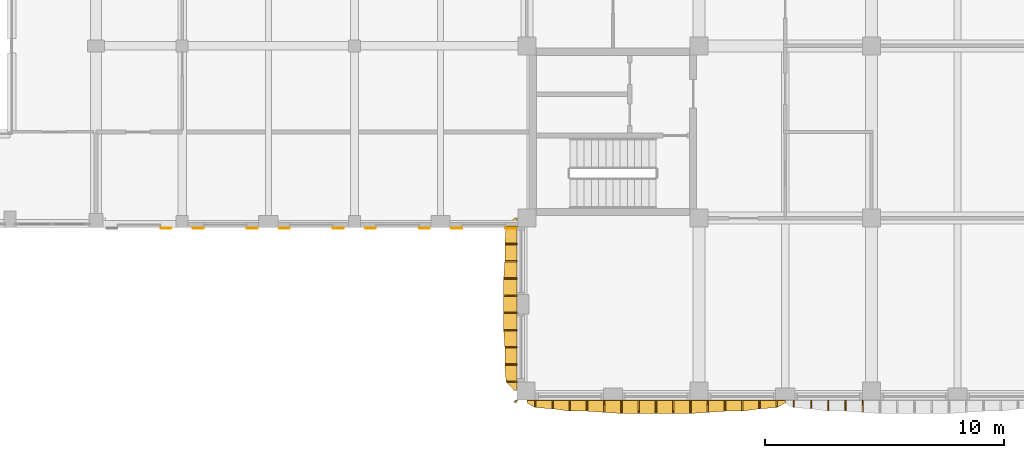
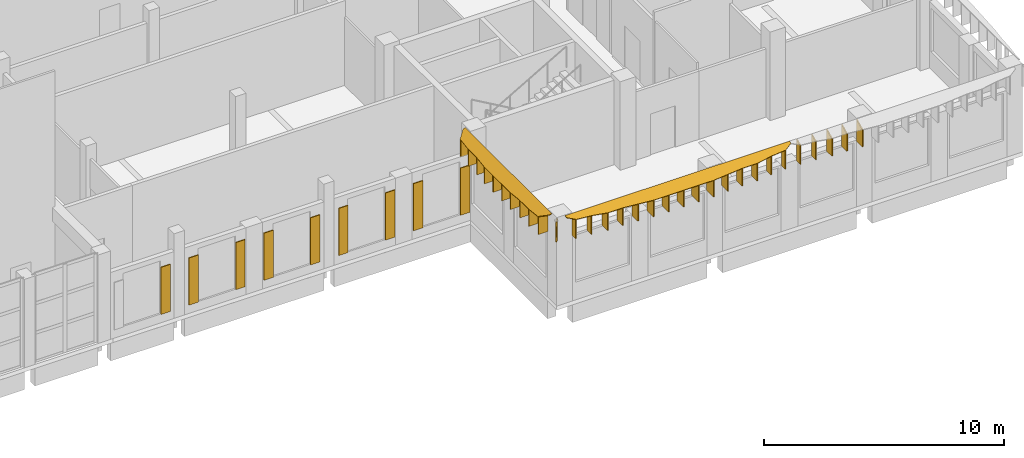
# One storey, part 32 of 54: 42 shading devices.
"""IFC4 building model written with IfcOpenShell, lengths in metres."""

import ifcopenshell
import ifcopenshell.guid

model = None  # the IFC model being written
_history = None  # IfcOwnerHistory: only IFC2X3 demands one
_inside = {}  # id of a spatial element -> (the spatial element, [elements in it])
_under = {}  # id of a project, library or spatial element -> (it, [spatial elements below it])
_declared = {}  # id of a project -> (the project, [libraries it declares])
_typed = {}  # id of a type object -> (the type object, [elements of that type])
_made_of = {}  # id of a material, layer set ... -> (it, [elements and type objects made of it])


def new_model(schema):
    """Start an empty IFC model of exactly this schema.

    Asked for "IFC4X3", IfcOpenShell would pick the latest addendum, in which some entities
    have other attributes; the version numbers below select the first issue.
    IFC2X3 requires an IfcOwnerHistory on every rooted entity: one is made here for all.
    """
    global model, _history
    if schema == "IFC4X3":
        model = ifcopenshell.file(schema_version=(4, 3, 0, 0))
    else:
        model = ifcopenshell.file(schema=schema)
    _inside.clear()
    _under.clear()
    _declared.clear()
    _typed.clear()
    _made_of.clear()
    _history = None
    if model.schema == "IFC2X3":
        org = make("IfcOrganization", Name="unknown")
        user = make(
            "IfcPersonAndOrganization",
            ThePerson=make("IfcPerson", FamilyName="unknown"),
            TheOrganization=org,
        )
        app = make(
            "IfcApplication",
            ApplicationDeveloper=org,
            Version="unknown",
            ApplicationFullName="unknown",
            ApplicationIdentifier="unknown",
        )
        _history = make(
            "IfcOwnerHistory",
            OwningUser=user,
            OwningApplication=app,
            ChangeAction="ADDED",
            CreationDate=0,
        )
    return model


def make(cls, **values):
    """One entity of the class cls with the attributes given. An attribute that is None is left unset."""
    return model.create_entity(
        cls, **{name: value for name, value in values.items() if value is not None}
    )


def rooted(cls, **values):
    """An entity with a GlobalId (a new one), such as an element, a storey or a relation."""
    return make(cls, GlobalId=ifcopenshell.guid.new(), OwnerHistory=_history, **values)


def si_unit(unit_type, name, prefix=None):
    """IfcSIUnit, for example si_unit("LENGTHUNIT", "METRE", prefix="MILLI")."""
    return make("IfcSIUnit", UnitType=unit_type, Prefix=prefix, Name=name)


def assignment(units):
    """IfcUnitAssignment: the units of a project."""
    return None if units is None else make("IfcUnitAssignment", Units=units)


def point(xyz):
    """IfcCartesianPoint."""
    return None if xyz is None else make("IfcCartesianPoint", Coordinates=xyz)


def direction(xyz):
    """IfcDirection."""
    return None if xyz is None else make("IfcDirection", DirectionRatios=xyz)


def frame(location, z_axis=None, x_axis=None):
    """IfcAxis2Placement3D, a coordinate frame: its origin and axes. An axis left out is left unset."""
    return make(
        "IfcAxis2Placement3D",
        Location=point(location),
        Axis=direction(z_axis),
        RefDirection=direction(x_axis),
    )


def frame_2d(location, x_axis=None):
    """IfcAxis2Placement2D, a coordinate frame in the plane: its origin and x axis."""
    return make(
        "IfcAxis2Placement2D", Location=point(location), RefDirection=direction(x_axis)
    )


def origin():
    """The frame at (0, 0, 0) with its axes left unset."""
    return frame((0.0, 0.0, 0.0))


def origin_2d():
    """The frame at (0, 0) in the plane with its x axis left unset."""
    return frame_2d((0.0, 0.0))


def place(relative_to, where):
    """IfcLocalPlacement: puts the frame where relative to a parent placement (None: the world)."""
    return make(
        "IfcLocalPlacement", PlacementRelTo=relative_to, RelativePlacement=where
    )


def context(
    kind, dimensions, precision=None, world=None, true_north=None, identifier=None
):
    """IfcGeometricRepresentationContext, for example the 3D "Model" context."""
    return make(
        "IfcGeometricRepresentationContext",
        ContextIdentifier=identifier,
        ContextType=kind,
        CoordinateSpaceDimension=dimensions,
        Precision=precision,
        WorldCoordinateSystem=world,
        TrueNorth=true_north,
    )


def subcontext(parent, identifier, kind, view, scale=None):
    """IfcGeometricRepresentationSubContext, for example "Body" below "Model"."""
    return make(
        "IfcGeometricRepresentationSubContext",
        ContextIdentifier=identifier,
        ContextType=kind,
        ParentContext=parent,
        TargetScale=scale,
        TargetView=view,
    )


def project(units=None, contexts=None):
    """IfcProject with its units and contexts."""
    return rooted(
        "IfcProject",
        Name="project",
        RepresentationContexts=contexts,
        UnitsInContext=assignment(units),
    )


def spatial(cls, under=None, at=None, **own):
    """A site, building, storey or space (cls), placed at a placement, below another one or the project."""
    s = rooted(cls, ObjectPlacement=at, **own)
    if under is not None:
        _under.setdefault(under.id(), (under, []))[1].append(s)
    return s


def polyline(points):
    """IfcPolyline through the points."""
    return make("IfcPolyline", Points=[point(p) for p in points])


def profile(cls, at=None, kind="AREA", **sizes):
    """A parametric profile (cls). Its sizes go by their IFC names, for example OverallWidth=200.0."""
    return make(cls, ProfileType=kind, Position=at, **sizes)


def rectangle(**sizes):
    """IfcRectangleProfileDef."""
    return profile("IfcRectangleProfileDef", **sizes)


def outline(outer, holes=None, kind="AREA"):
    """IfcArbitraryClosedProfileDef: a profile drawn as a closed curve; with holes, ...WithVoids."""
    if holes is None:
        return make("IfcArbitraryClosedProfileDef", ProfileType=kind, OuterCurve=outer)
    return make(
        "IfcArbitraryProfileDefWithVoids",
        ProfileType=kind,
        OuterCurve=outer,
        InnerCurves=holes,
    )


def extrude(swept, where, along, depth):
    """IfcExtrudedAreaSolid: the profile swept, set in the frame where, extruded along a direction by depth."""
    return make(
        "IfcExtrudedAreaSolid",
        SweptArea=swept,
        Position=where,
        ExtrudedDirection=direction(along),
        Depth=depth,
    )


def shape(context_of_items, identifier, shape_type, items):
    """IfcShapeRepresentation: the items that make up one representation, for example the "Body"."""
    return make(
        "IfcShapeRepresentation",
        ContextOfItems=context_of_items,
        RepresentationIdentifier=identifier,
        RepresentationType=shape_type,
        Items=items,
    )


def material(Name=None, Category=None):
    """IfcMaterial."""
    return make("IfcMaterial", Name=Name, Category=Category)


def layer(
    of_material, thickness, ventilated=None, Name=None, Category=None, Priority=None
):
    """IfcMaterialLayer: one layer of a wall or slab, of a material (None: an air gap)."""
    return make(
        "IfcMaterialLayer",
        Material=of_material,
        LayerThickness=thickness,
        IsVentilated=ventilated,
        Name=Name,
        Category=Category,
        Priority=Priority,
    )


def layer_set(layers, Name=None):
    """IfcMaterialLayerSet."""
    return make("IfcMaterialLayerSet", MaterialLayers=layers, LayerSetName=Name)


def made_of(thing, what):
    """Note that an element or type object is made of a material, layer set ...; save() writes the relation."""
    if what is not None:
        _made_of.setdefault(what.id(), (what, []))[1].append(thing)
    return thing


def type_object(cls, material=None, **own):
    """A type object (cls), such as IfcWallType, which elements share."""
    return made_of(rooted(cls, **own), material)


def element(
    cls,
    number,
    at=None,
    inside=None,
    cuts=None,
    type_object=None,
    material=None,
    context=None,
    identifier="Body",
    shape_type=None,
    held_by="IfcProductDefinitionShape",
    body=None,
    shapes=None,
    **own,
):
    """One element of the class cls, such as IfcWall. Its Tag is "e" and its number.

    at: its placement. inside: the storey or other place that contains it. cuts: it is an
    opening in that element (IfcRelVoidsElement). A single representation is given by context,
    identifier, shape_type and body (its items); several are given by shapes. held_by: the class
    of the entity that holds the representations. save() writes the other relations.
    """
    e = rooted(cls, Tag="e%d" % number, ObjectPlacement=at, **own)
    if body is not None:
        shapes = [shape(context, identifier, shape_type, body)]
    if shapes is not None:
        e.Representation = make(held_by, Representations=shapes)
    if inside is not None:
        _inside.setdefault(inside.id(), (inside, []))[1].append(e)
    if cuts is not None:
        rooted(
            "IfcRelVoidsElement", RelatingBuildingElement=cuts, RelatedOpeningElement=e
        )
    if type_object is not None:
        _typed.setdefault(type_object.id(), (type_object, []))[1].append(e)
    return made_of(e, material)


def aggregate(whole, parts):
    """IfcRelAggregates: a whole, such as a stair, and the parts it consists of."""
    return rooted("IfcRelAggregates", RelatingObject=whole, RelatedObjects=parts)


def save(model, path):
    """Write the relations noted so far, then the file.

    IfcRelAggregates (storeys below a building ...), IfcRelContainedInSpatialStructure (elements
    in a storey), IfcRelDefinesByType, IfcRelAssociatesMaterial and IfcRelDeclares: one each for
    every whole, place, type object, material and project.
    """
    for whole, parts in _under.values():
        aggregate(whole, parts)
    for where, things in _inside.values():
        rooted(
            "IfcRelContainedInSpatialStructure",
            RelatedElements=things,
            RelatingStructure=where,
        )
    for kind, things in _typed.values():
        rooted("IfcRelDefinesByType", RelatedObjects=things, RelatingType=kind)
    for what, things in _made_of.values():
        rooted("IfcRelAssociatesMaterial", RelatedObjects=things, RelatingMaterial=what)
    for by, libraries in _declared.values():
        rooted("IfcRelDeclares", RelatingContext=by, RelatedDefinitions=libraries)
    model.write(path)


model = new_model("IFC4")

# Units and contexts
model_context = context("Model", 3, precision=1e-05, world=origin(), true_north=direction((0.0, 1.0)))
body_context = subcontext(model_context, "Body", "Model", "MODEL_VIEW")
ifc_project = project(units=[si_unit("LENGTHUNIT", "METRE"), si_unit("AREAUNIT", "SQUARE_METRE"), si_unit("VOLUMEUNIT", "CUBIC_METRE"), si_unit("PLANEANGLEUNIT", "RADIAN"), si_unit("MASSUNIT", "GRAM", prefix="KILO")], contexts=[model_context])

# Site, building, storey
site_placement = place(None, origin())
site = spatial("IfcSite", under=ifc_project, at=site_placement, CompositionType="ELEMENT")
building_placement = place(site_placement, origin())
building = spatial("IfcBuilding", under=site, at=building_placement, Name="Ussher Court Research Institute", CompositionType="ELEMENT")
storey_placement = place(building_placement, frame((0.0, 0.0, 14.39990234375)))
storey = spatial("IfcBuildingStorey", under=building, at=storey_placement, Name="L03", CompositionType="ELEMENT", Elevation=14.39990234375)

# Shading devices
ifc_material_1 = material(Name="Bronze anodised aluminium", Category="aluminium")
ifc_layer_1 = layer(ifc_material_1, 0.050048828125)
ifc_layer_set_1 = layer_set([ifc_layer_1], Name="Bronze anodised aluminium")
shading_device_type_1 = type_object("IfcShadingDeviceType", Name="Brim blade 300 mm deep 1100 mm high canted 26 deg wet", PredefinedType="USERDEFINED", material=ifc_layer_set_1)
for number, where, z_axis, x_axis, name in (
    (1, (93.360107421875, 3.60009765625, 3.35009765625), (0.0, 0.0, 1.0), (0.0, -1.0, 0.0), "Brim blade BS06 L03"),
    (2, (92.639892578125, 3.60009765625, 3.35009765625), (0.0, 0.0, 1.0), (0.0, -1.0, 0.0), "Brim blade BS06 L03"),
    (3, (82.56005859375, 3.60009765625, 3.35009765625), (0.0, 0.0, 1.0), (0.0, -1.0, 0.0), "Brim blade BS06 L03"),
):
    element("IfcShadingDevice", number, at=place(storey_placement, frame(where, z_axis=z_axis, x_axis=x_axis)), inside=storey, type_object=shading_device_type_1, Name=name, ObjectType="BLADE", PredefinedType="USERDEFINED", context=body_context, shape_type="SweptSolid", body=[
        extrude(outline(polyline([(0.0, 0.0), (0.300048828125, 0.0), (0.300048828125, 0.95361328125), (0.0, 1.10009765625), (0.0, 0.0)])), frame((0.0, 0.02490234375, 0.0), z_axis=(0.0, -1.0, 0.0), x_axis=(1.0, 0.0, 0.0)), (0.0, 0.0, 1.0), 0.050048828125),
    ])
ifc_material_2 = material(Name="Bronze anodised aluminium", Category="aluminium")
ifc_layer_2 = layer(ifc_material_2, 0.050048828125)
ifc_layer_set_2 = layer_set([ifc_layer_2], Name="Bronze anodised aluminium")
shading_device_type_2 = type_object("IfcShadingDeviceType", Name="Brim blade 350 mm deep 1100 mm high canted 26 deg wet", PredefinedType="USERDEFINED", material=ifc_layer_set_2)
for number, where, z_axis, x_axis, name in (
    (4, (94.080078125, 3.60009765625, 3.35009765625), (0.0, 0.0, 1.0), (0.0, -1.0, 0.0), "Brim blade BS05 L03"),
    (5, (91.919921875, 3.60009765625, 3.35009765625), (0.0, 0.0, 1.0), (0.0, -1.0, 0.0), "Brim blade BS05 L03"),
    (6, (83.280029296875, 3.60009765625, 3.35009765625), (0.0, 0.0, 1.0), (0.0, -1.0, 0.0), "Brim blade BS05 L03"),
):
    element("IfcShadingDevice", number, at=place(storey_placement, frame(where, z_axis=z_axis, x_axis=x_axis)), inside=storey, type_object=shading_device_type_2, Name=name, ObjectType="BLADE", PredefinedType="USERDEFINED", context=body_context, shape_type="SweptSolid", body=[
        extrude(outline(polyline([(0.0, 0.0), (0.35009765625, 0.0), (0.35009765625, 0.92919921875), (0.0, 1.10009765625), (0.0, 0.0)])), frame((0.0, 0.02490234375, 0.0), z_axis=(0.0, -1.0, 0.0), x_axis=(1.0, 0.0, 0.0)), (0.0, 0.0, 1.0), 0.050048828125),
    ])
ifc_material_3 = material(Name="Bronze anodised aluminium", Category="aluminium")
ifc_layer_3 = layer(ifc_material_3, 0.050048828125)
ifc_layer_set_3 = layer_set([ifc_layer_3], Name="Bronze anodised aluminium")
shading_device_type_3 = type_object("IfcShadingDeviceType", Name="Brim blade 450 mm deep 1100 mm high canted 26 deg wet", PredefinedType="USERDEFINED", material=ifc_layer_set_3)
for number, where, z_axis, x_axis, name in (
    (7, (95.52001953125, 3.60009765625, 3.35009765625), (0.0, 0.0, 1.0), (0.0, -1.0, 0.0), "Brim blade BS03 L03"),
    (8, (94.800048828125, 3.60009765625, 3.35009765625), (0.0, 0.0, 1.0), (0.0, -1.0, 0.0), "Brim blade BS03 L03"),
    (9, (91.199951171875, 3.60009765625, 3.35009765625), (0.0, 0.0, 1.0), (0.0, -1.0, 0.0), "Brim blade BS03 L03"),
    (10, (90.47998046875, 3.60009765625, 3.35009765625), (0.0, 0.0, 1.0), (0.0, -1.0, 0.0), "Brim blade BS03 L03"),
    (11, (84.719970703125, 3.60009765625, 3.35009765625), (0.0, 0.0, 1.0), (0.0, -1.0, 0.0), "Brim blade BS03 L03"),
    (12, (84.0, 3.60009765625, 3.35009765625), (0.0, 0.0, 1.0), (0.0, -1.0, 0.0), "Brim blade BS03 L03"),
):
    element("IfcShadingDevice", number, at=place(storey_placement, frame(where, z_axis=z_axis, x_axis=x_axis)), inside=storey, type_object=shading_device_type_3, Name=name, ObjectType="BLADE", PredefinedType="USERDEFINED", context=body_context, shape_type="SweptSolid", body=[
        extrude(outline(polyline([(0.0, 0.0), (0.4501953125, 0.0), (0.449951171875, 0.880615234375), (0.0, 1.10009765625), (0.0, 0.0)])), frame((0.0, 0.02490234375, 0.0), z_axis=(0.0, -1.0, 0.0), x_axis=(1.0, 0.0, 0.0)), (0.0, 0.0, 1.0), 0.050048828125),
    ])
for number, where, z_axis, x_axis, name in (
    (13, (81.800048828125, 4.360107421875, 3.35009765625), (0.0, 0.0, 1.0), (-1.0, 0.0, 0.0), "Brim blade BS03 L03"),
    (14, (81.800048828125, 10.840087890625, 3.35009765625), (0.0, 0.0, 1.0), (-1.0, 0.0, 0.0), "Brim blade BS03 L03"),
):
    element("IfcShadingDevice", number, at=place(storey_placement, frame(where, z_axis=z_axis, x_axis=x_axis)), inside=storey, type_object=shading_device_type_3, Name=name, ObjectType="BLADE", PredefinedType="USERDEFINED", context=body_context, shape_type="SweptSolid", body=[
        extrude(outline(polyline([(0.0, 0.0), (0.449951171875, 0.0), (0.449951171875, 0.880615234375), (0.0, 1.10009765625), (0.0, 0.0)])), frame((0.0, 0.02490234375, 0.0), z_axis=(0.0, -1.0, 0.0), x_axis=(1.0, 0.0, 0.0)), (0.0, 0.0, 1.0), 0.050048828125),
    ])
ifc_material_4 = material(Name="Bronze anodised aluminium", Category="aluminium")
ifc_layer_4 = layer(ifc_material_4, 0.050048828125)
ifc_layer_set_4 = layer_set([ifc_layer_4], Name="Bronze anodised aluminium")
shading_device_type_4 = type_object("IfcShadingDeviceType", Name="Brim blade 500 mm deep 1100 mm high canted 26 deg wet", PredefinedType="USERDEFINED", material=ifc_layer_set_4)
for number, where, z_axis, x_axis, name in (
    (15, (96.239990234375, 3.60009765625, 3.35009765625), (0.0, 0.0, 1.0), (0.0, -1.0, 0.0), "Brim blade BS02 L03"),
    (16, (89.760009765625, 3.60009765625, 3.35009765625), (0.0, 0.0, 1.0), (0.0, -1.0, 0.0), "Brim blade BS02 L03"),
    (17, (85.43994140625, 3.60009765625, 3.35009765625), (0.0, 0.0, 1.0), (0.0, -1.0, 0.0), "Brim blade BS02 L03"),
    (18, (81.800048828125, 5.080078125, 3.35009765625), (0.0, 0.0, 1.0), (-1.0, 0.0, 0.0), "Brim blade BS02 L03"),
    (19, (81.800048828125, 5.800048828125, 3.35009765625), (0.0, 0.0, 1.0), (-1.0, 0.0, 0.0), "Brim blade BS02 L03"),
    (20, (81.800048828125, 9.39990234375, 3.35009765625), (0.0, 0.0, 1.0), (-1.0, 0.0, 0.0), "Brim blade BS02 L03"),
    (21, (81.800048828125, 10.1201171875, 3.35009765625), (0.0, 0.0, 1.0), (-1.0, 0.0, 0.0), "Brim blade BS02 L03"),
):
    element("IfcShadingDevice", number, at=place(storey_placement, frame(where, z_axis=z_axis, x_axis=x_axis)), inside=storey, type_object=shading_device_type_4, Name=name, ObjectType="BLADE", PredefinedType="USERDEFINED", context=body_context, shape_type="SweptSolid", body=[
        extrude(outline(polyline([(0.0, 0.0), (0.5, 0.0), (0.5, 0.856201171875), (0.0, 1.10009765625), (0.0, 0.0)])), frame((0.0, 0.02490234375, 0.0), z_axis=(0.0, -1.0, 0.0), x_axis=(1.0, 0.0, 0.0)), (0.0, 0.0, 1.0), 0.050048828125),
    ])
ifc_material_5 = material(Name="Bronze anodised aluminium", Category="aluminium")
ifc_layer_5 = layer(ifc_material_5, 0.050048828125)
ifc_layer_set_5 = layer_set([ifc_layer_5], Name="Bronze anodised aluminium")
shading_device_type_5 = type_object("IfcShadingDeviceType", Name="Brim blade 550 mm deep 1100 mm high canted 26 deg wet", PredefinedType="USERDEFINED", material=ifc_layer_set_5)
for number, where, z_axis, x_axis, name in (
    (22, (89.0400390625, 3.60009765625, 3.35009765625), (0.0, 0.0, 1.0), (0.0, -1.0, 0.0), "Brim blade BS01 L03"),
    (23, (88.320068359375, 3.60009765625, 3.35009765625), (0.0, 0.0, 1.0), (0.0, -1.0, 0.0), "Brim blade BS01 L03"),
    (24, (87.60009765625, 3.60009765625, 3.35009765625), (0.0, 0.0, 1.0), (0.0, -1.0, 0.0), "Brim blade BS01 L03"),
    (25, (86.8798828125, 3.60009765625, 3.35009765625), (0.0, 0.0, 1.0), (0.0, -1.0, 0.0), "Brim blade BS01 L03"),
    (26, (86.159912109375, 3.60009765625, 3.35009765625), (0.0, 0.0, 1.0), (0.0, -1.0, 0.0), "Brim blade BS01 L03"),
    (27, (81.800048828125, 6.52001953125, 3.35009765625), (0.0, 0.0, 1.0), (-1.0, 0.0, 0.0), "Brim blade BS01 L03"),
    (28, (81.800048828125, 7.239990234375, 3.35009765625), (0.0, 0.0, 1.0), (-1.0, 0.0, 0.0), "Brim blade BS01 L03"),
    (29, (81.800048828125, 7.9599609375, 3.35009765625), (0.0, 0.0, 1.0), (-1.0, 0.0, 0.0), "Brim blade BS01 L03"),
    (30, (81.800048828125, 8.679931640625, 3.35009765625), (0.0, 0.0, 1.0), (-1.0, 0.0, 0.0), "Brim blade BS01 L03"),
):
    element("IfcShadingDevice", number, at=place(storey_placement, frame(where, z_axis=z_axis, x_axis=x_axis)), inside=storey, type_object=shading_device_type_5, Name=name, ObjectType="BLADE", PredefinedType="USERDEFINED", context=body_context, shape_type="SweptSolid", body=[
        extrude(outline(polyline([(0.0, 0.0), (0.550048828125, 0.0), (0.550048828125, 0.831787109375), (0.0, 1.10009765625), (0.0, 0.0)])), frame((0.0, 0.02490234375, 0.0), z_axis=(0.0, -1.0, 0.0), x_axis=(1.0, 0.0, 0.0)), (0.0, 0.0, 1.0), 0.050048828125),
    ])
ifc_material_6 = material(Name="Bronze anodised aluminium", Category="aluminium")
ifc_layer_6 = layer(ifc_material_6, 0.050048828125)
ifc_layer_set_6 = layer_set([ifc_layer_6], Name="Bronze anodised aluminium")
shading_device_type_6 = type_object("IfcShadingDeviceType", Name="Brim mitre blade 100 mm deep 1100 mm high canted 26 deg wet", PredefinedType="USERDEFINED", material=ifc_layer_set_6)
shading_device_1_placement = place(storey_placement, frame((81.800048828125, 3.60009765625, 3.35009765625), z_axis=(0.0, 0.0, 1.0), x_axis=(-0.707106781187, -0.707106781187, 0.0)))
element("IfcShadingDevice", 31, at=shading_device_1_placement, inside=storey, type_object=shading_device_type_6, Name="Brim mitre blade BS18 L03", ObjectType="BLADE", PredefinedType="USERDEFINED", context=body_context, shape_type="SweptSolid", body=[
    extrude(outline(polyline([(0.0, 0.0), (0.1416015625, 0.0), (0.141357421875, 1.00244140625), (0.0, 1.10009765625), (0.0, 0.0)])), frame((0.0, 0.02490234375, 0.0), z_axis=(0.0, -1.0, 0.0), x_axis=(1.0, 0.0, 0.0)), (0.0, 0.0, 1.0), 0.050048828125),
])
ifc_material_7 = material(Name="Bronze anodised aluminium", Category="aluminium")
ifc_layer_7 = layer(ifc_material_7, 0.0400390625)
ifc_layer_set_7 = layer_set([ifc_layer_7], Name="Bronze anodised aluminium")
shading_device_type_7 = type_object("IfcShadingDeviceType", Name="Brim visor sheet 40 mm canted 26 deg wet", PredefinedType="USERDEFINED", material=ifc_layer_set_7)
shading_device_2_placement = place(storey_placement, frame((93.0, 3.58251953125, 4.486083984375), z_axis=(0.0, -0.438461416816, 0.898750013054), x_axis=(-1.0, 0.0, 0.0)))
element("IfcShadingDevice", 32, at=shading_device_2_placement, inside=storey, type_object=shading_device_type_7, Name="Brim visor sheet BR1 L03", ObjectType="BRIM", PredefinedType="USERDEFINED", context=body_context, shape_type="SweptSolid", body=[
    extrude(outline(polyline([(0.0, 0.0), (10.800048828125, 0.0), (10.800048828125, 0.1113720187292832), (10.43994140625, 0.33389663479794396), (9.719970703125, 0.38958264416258553), (9.0, 0.5006281952576233), (8.280029296875, 0.5006281952576233), (7.56005859375, 0.5563142046222649), (6.840087890625, 0.6120002139869065), (6.1201171875, 0.6120002139869065), (5.39990234375, 0.6120002139869065), (4.679931640625, 0.6120002139869065), (3.9599609375, 0.6120002139869065), (3.239990234375, 0.5563142046222649), (2.52001953125, 0.5006281952576233), (1.800048828125, 0.5006281952576233), (1.080078125, 0.38958264416258553), (0.360107421875, 0.33389663479794396), (0.0, 0.1113720187292832), (0.0, 0.0)])), origin(), (0.0, 0.0, -1.0), 0.0400390625),
])
shading_device_3_placement = place(storey_placement, frame((81.782470703125, 4.0, 4.486083984375), z_axis=(-0.438424070602, 0.0, 0.898768231702), x_axis=(0.0, 1.0, 0.0)))
element("IfcShadingDevice", 33, at=shading_device_3_placement, inside=storey, type_object=shading_device_type_7, Name="Brim visor sheet BR1 L03", ObjectType="BRIM", PredefinedType="USERDEFINED", context=body_context, shape_type="SweptSolid", body=[
    extrude(outline(polyline([(0.0, 0.0), (7.199951171875, 0.0), (7.199951171875, 0.11115259298987437), (6.840087890625, 0.5006281959223675), (6.1201171875, 0.5563142053362137), (5.39990234375, 0.5563142053362137), (4.679931640625, 0.6120002147500598), (3.9599609375, 0.6120002147500598), (3.239990234375, 0.6120002147500598), (2.52001953125, 0.6120002147500598), (1.800048828125, 0.5563142053362137), (1.080078125, 0.5563142053362137), (0.360107421875, 0.5006281959223675), (0.0, 0.11115259298987437), (0.0, 0.0)])), origin(), (0.0, 0.0, -1.0), 0.0400390625),
])
ifc_material_8 = material(Name="Timber louvred shutter", Category="wood")
ifc_layer_8 = layer(ifc_material_8, 0.0400390625)
ifc_layer_set_8 = layer_set([ifc_layer_8], Name="Timber louvred shutter")
shading_device_type_8 = type_object("IfcShadingDeviceType", Name="Louvred shutter leaf 450x2400", PredefinedType="USERDEFINED", material=ifc_layer_set_8)
for number, where, z_axis, x_axis, name in (
    (34, (81.52490234375, 10.780029296875, 0.4501953125), (0.0, 0.0, 1.0), (-1.0, 0.0, 0.0), "Shutter LV2 L03"),
    (35, (79.27490234375, 10.780029296875, 0.4501953125), (0.0, 0.0, 1.0), (-1.0, 0.0, 0.0), "Shutter LV2 L03"),
    (36, (77.925048828125, 10.780029296875, 0.4501953125), (0.0, 0.0, 1.0), (-1.0, 0.0, 0.0), "Shutter LV2 L03"),
    (37, (75.675048828125, 10.780029296875, 0.4501953125), (0.0, 0.0, 1.0), (-1.0, 0.0, 0.0), "Shutter LV2 L03"),
    (38, (74.324951171875, 10.780029296875, 0.4501953125), (0.0, 0.0, 1.0), (-1.0, 0.0, 0.0), "Shutter LV2 L03"),
    (39, (72.074951171875, 10.780029296875, 0.4501953125), (0.0, 0.0, 1.0), (-1.0, 0.0, 0.0), "Shutter LV2 L03"),
    (40, (70.72509765625, 10.780029296875, 0.4501953125), (0.0, 0.0, 1.0), (-1.0, 0.0, 0.0), "Shutter LV2 L03"),
    (41, (68.47509765625, 10.780029296875, 0.4501953125), (0.0, 0.0, 1.0), (-1.0, 0.0, 0.0), "Shutter LV2 L03"),
    (42, (67.125, 10.780029296875, 0.4501953125), (0.0, 0.0, 1.0), (-1.0, 0.0, 0.0), "Shutter LV2 L03"),
):
    element("IfcShadingDevice", number, at=place(storey_placement, frame(where, z_axis=z_axis, x_axis=x_axis)), inside=storey, type_object=shading_device_type_8, Name=name, ObjectType="SHUTTER", PredefinedType="USERDEFINED", context=body_context, shape_type="SweptSolid", body=[
        extrude(rectangle(XDim=0.449951171875, YDim=0.0400390625, at=origin_2d()), origin(), (0.0, 0.0, 1.0), 2.39990234375),
    ])

save(model, "model.ifc")
